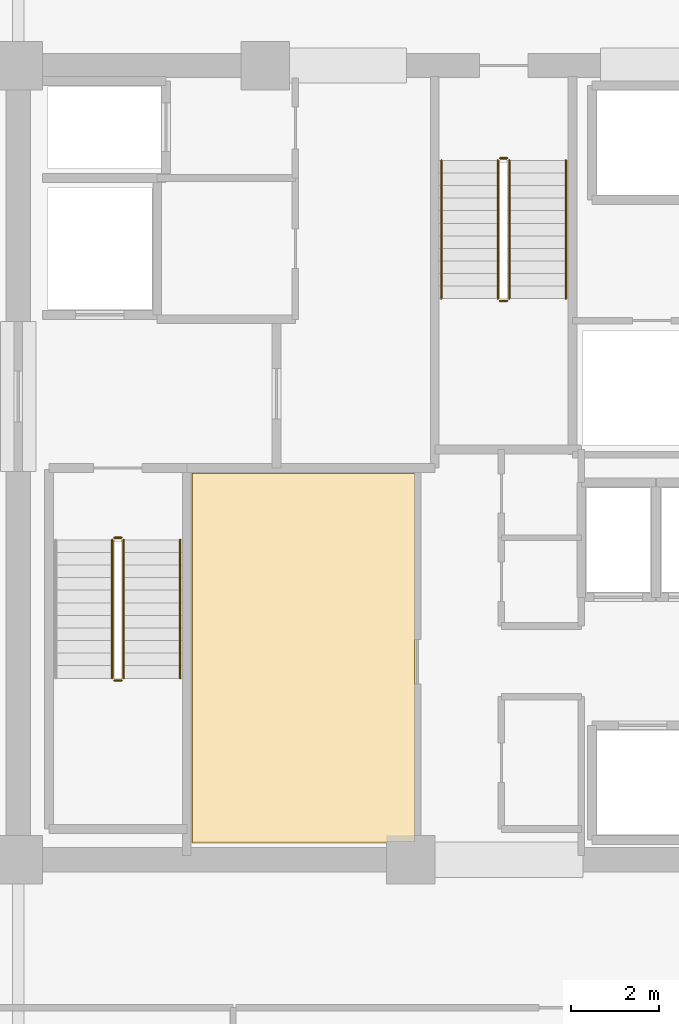
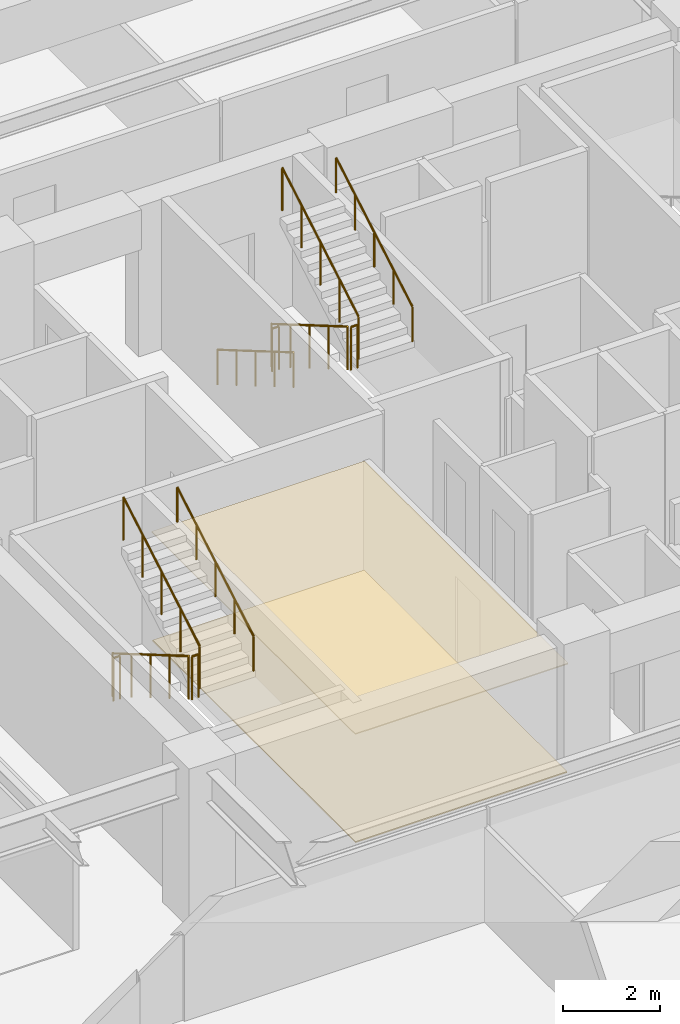
# One storey, part 19 of 21: 11 railings, 2 coverings.
"""IFC4 building model written with IfcOpenShell, lengths in metres."""

from ifc_helpers import new_model, si_unit, direction, frame, origin, origin_2d, place, context, subcontext, project, spatial, polyline, circle, outline, extrude, material, layer, layer_set, type_object, element, save


model = new_model("IFC4")

# Units and contexts
model_context = context("Model", 3, precision=1e-05, world=origin(), true_north=direction((0.0, 1.0)))
body_context = subcontext(model_context, "Body", "Model", "MODEL_VIEW")
ifc_project = project(units=[si_unit("LENGTHUNIT", "METRE"), si_unit("AREAUNIT", "SQUARE_METRE"), si_unit("VOLUMEUNIT", "CUBIC_METRE"), si_unit("PLANEANGLEUNIT", "RADIAN"), si_unit("MASSUNIT", "GRAM", prefix="KILO")], contexts=[model_context])

# Site, building, storey
site_placement = place(None, origin())
site = spatial("IfcSite", under=ifc_project, at=site_placement, CompositionType="ELEMENT")
building_placement = place(site_placement, origin())
building = spatial("IfcBuilding", under=site, at=building_placement, Name="Kovane Verandah Tower", CompositionType="ELEMENT")
storey_placement = place(building_placement, frame((0.0, 0.0, 152.39990234375)))
storey = spatial("IfcBuildingStorey", under=building, at=storey_placement, Name="L35", CompositionType="ELEMENT", Elevation=152.39990234375)

# Coverings
ifc_material_1 = material(Name="Perforated Acoustic Mineral-Fibre Ceiling Tile", Category="gypsum")
ifc_layer_1 = layer(ifc_material_1, 0.02490234375)
ifc_layer_set_1 = layer_set([ifc_layer_1], Name="Perforated Acoustic Mineral-Fibre Ceiling Tile")
covering_type_1 = type_object("IfcCoveringType", Name="CV-CEIL-25", PredefinedType="CEILING", material=ifc_layer_set_1)
covering_1_placement = place(storey_placement, frame((0.0, 0.0, 2.72998046875)))
element("IfcCovering", 1, at=covering_1_placement, inside=storey, type_object=covering_type_1, Name="L35 Tenant Wellness and Archive Suite Acoustic Ceiling", PredefinedType="CEILING", context=body_context, shape_type="SweptSolid", body=[
    extrude(outline(polyline([(32.93505859375, 18.885009765625), (37.9951171875, 18.885009765625), (37.9951171875, 27.264892578125), (32.93505859375, 27.264892578125), (32.93505859375, 18.885009765625)])), origin(), (0.0, 0.0, 1.0), 0.025146484375),
])
ifc_material_2 = material(Name="Polished Terrazzo and Raised-Access Carpet Tile Finish", Category="concrete")
ifc_layer_2 = layer(ifc_material_2, 0.030029296875)
ifc_layer_set_2 = layer_set([ifc_layer_2], Name="Polished Terrazzo and Raised-Access Carpet Tile Finish")
covering_type_2 = type_object("IfcCoveringType", Name="CV-FLOR-30", PredefinedType="FLOORING", material=ifc_layer_set_2)
covering_2_placement = place(storey_placement, origin())
element("IfcCovering", 2, at=covering_2_placement, inside=storey, type_object=covering_type_2, Name="L35 Tenant Wellness and Archive Suite Floor Finish", PredefinedType="FLOORING", context=body_context, shape_type="SweptSolid", body=[
    extrude(outline(polyline([(32.949951171875, 18.89990234375), (37.97998046875, 18.89990234375), (37.97998046875, 27.25), (32.949951171875, 27.25), (32.949951171875, 18.89990234375)])), origin(), (0.0, 0.0, 1.0), 0.030029296875),
])

# Railings
ifc_material_3 = material(Name="Brushed Stainless Steel Handrail", Category="steel")
railing_type_1 = type_object("IfcRailingType", Name="RL-HAND-920", PredefinedType="HANDRAIL", material=ifc_material_3)
railing_1_placement = place(storey_placement, frame((32.669921875, 22.614990234375, 2.166748046875)))
element("IfcRailing", 3, at=railing_1_placement, inside=storey, type_object=railing_type_1, Name="L35 ST-01 stair handrail 2", PredefinedType="HANDRAIL", context=body_context, shape_type="SweptSolid", body=[
    extrude(circle(Radius=0.02392578125, at=origin_2d()), frame((0.0, 0.0, 0.8759765625), z_axis=(0.0, 0.863239559939, 0.504794475164), x_axis=(-1.0, 0.0, 0.0)), (0.0, 0.0, 1.0), 3.631591796875),
    extrude(circle(Radius=0.02099609375, at=origin_2d()), origin(), (0.0, 0.0, 1.0), 0.851806640625),
    extrude(circle(Radius=0.02099609375, at=origin_2d()), frame((0.0, 0.78369140625, 0.458251953125)), (0.0, 0.0, 1.0), 0.851806640625),
    extrude(circle(Radius=0.02099609375, at=origin_2d()), frame((0.0, 1.5673828125, 0.91650390625)), (0.0, 0.0, 1.0), 0.851806640625),
    extrude(circle(Radius=0.02099609375, at=origin_2d()), frame((0.0, 2.351318359375, 1.375)), (0.0, 0.0, 1.0), 0.851806640625),
    extrude(circle(Radius=0.02099609375, at=origin_2d()), frame((0.0, 3.135009765625, 1.833251953125)), (0.0, 0.0, 1.0), 0.851806640625),
])
railing_2_placement = place(storey_placement, frame((38.590087890625, 34.35009765625, 0.166748046875)))
element("IfcRailing", 4, at=railing_2_placement, inside=storey, type_object=railing_type_1, Name="L35 ST-03 stair handrail 1", PredefinedType="HANDRAIL", context=body_context, shape_type="SweptSolid", body=[
    extrude(circle(Radius=0.02392578125, at=origin_2d()), frame((0.0, 0.0, 0.8759765625), z_axis=(0.0, -0.863239559939, 0.504794475164), x_axis=(1.0, 0.0, 0.0)), (0.0, 0.0, 1.0), 3.631591796875),
    extrude(circle(Radius=0.02099609375, at=origin_2d()), origin(), (0.0, 0.0, 1.0), 0.851806640625),
    extrude(circle(Radius=0.02099609375, at=origin_2d()), frame((0.0, -0.78369140625, 0.458251953125)), (0.0, 0.0, 1.0), 0.851806640625),
    extrude(circle(Radius=0.02099609375, at=origin_2d()), frame((0.0, -1.5673828125, 0.91650390625)), (0.0, 0.0, 1.0), 0.851806640625),
    extrude(circle(Radius=0.02099609375, at=origin_2d()), frame((0.0, -2.351318359375, 1.375)), (0.0, 0.0, 1.0), 0.851806640625),
    extrude(circle(Radius=0.02099609375, at=origin_2d()), frame((0.0, -3.135009765625, 1.833251953125)), (0.0, 0.0, 1.0), 0.851806640625),
])
railing_3_placement = place(storey_placement, frame((41.409912109375, 31.215087890625, 2.166748046875)))
element("IfcRailing", 5, at=railing_3_placement, inside=storey, type_object=railing_type_1, Name="L35 ST-03 stair handrail 2", PredefinedType="HANDRAIL", context=body_context, shape_type="SweptSolid", body=[
    extrude(circle(Radius=0.02392578125, at=origin_2d()), frame((0.0, 0.0, 0.8759765625), z_axis=(0.0, 0.863239559939, 0.504794475164), x_axis=(-1.0, 0.0, 0.0)), (0.0, 0.0, 1.0), 3.631591796875),
    extrude(circle(Radius=0.02099609375, at=origin_2d()), origin(), (0.0, 0.0, 1.0), 0.851806640625),
    extrude(circle(Radius=0.02099609375, at=origin_2d()), frame((0.0, 0.78369140625, 0.458251953125)), (0.0, 0.0, 1.0), 0.851806640625),
    extrude(circle(Radius=0.02099609375, at=origin_2d()), frame((0.0, 1.5673828125, 0.91650390625)), (0.0, 0.0, 1.0), 0.851806640625),
    extrude(circle(Radius=0.02099609375, at=origin_2d()), frame((0.0, 2.351318359375, 1.375)), (0.0, 0.0, 1.0), 0.851806640625),
    extrude(circle(Radius=0.02099609375, at=origin_2d()), frame((0.0, 3.135009765625, 1.833251953125)), (0.0, 0.0, 1.0), 0.851806640625),
])
ifc_material_4 = material(Name="Painted Steel Stairwell Guardrail", Category="steel")
railing_type_2 = type_object("IfcRailingType", Name="RL-STGUARD-1120", PredefinedType="GUARDRAIL", material=ifc_material_4)
railing_4_placement = place(storey_placement, frame((31.1298828125, 25.75, 0.166748046875)))
element("IfcRailing", 6, at=railing_4_placement, inside=storey, type_object=railing_type_2, Name="L35 ST-01 stair guard 1", PredefinedType="GUARDRAIL", context=body_context, shape_type="SweptSolid", body=[
    extrude(circle(Radius=0.02392578125, at=origin_2d()), frame((0.0, 0.0, 1.076171875), z_axis=(0.0, -0.863239559939, 0.504794475164), x_axis=(1.0, 0.0, 0.0)), (0.0, 0.0, 1.0), 3.631591796875),
    extrude(circle(Radius=0.02099609375, at=origin_2d()), origin(), (0.0, 0.0, 1.0), 1.052001953125),
    extrude(circle(Radius=0.02099609375, at=origin_2d()), frame((0.0, -0.78369140625, 0.458251953125)), (0.0, 0.0, 1.0), 1.052001953125),
    extrude(circle(Radius=0.02099609375, at=origin_2d()), frame((0.0, -1.5673828125, 0.91650390625)), (0.0, 0.0, 1.0), 1.052001953125),
    extrude(circle(Radius=0.02099609375, at=origin_2d()), frame((0.0, -2.351318359375, 1.375)), (0.0, 0.0, 1.0), 1.052001953125),
    extrude(circle(Radius=0.02099609375, at=origin_2d()), frame((0.0, -3.135009765625, 1.833251953125)), (0.0, 0.0, 1.0), 1.052001953125),
])
railing_5_placement = place(storey_placement, frame((31.179931640625, 22.56494140625, 2.0)))
element("IfcRailing", 7, at=railing_5_placement, inside=storey, type_object=railing_type_2, Name="L35 ST-01 stair guard 2", PredefinedType="GUARDRAIL", context=body_context, shape_type="SweptSolid", body=[
    extrude(circle(Radius=0.02392578125, at=origin_2d()), frame((0.0, 0.0, 1.076171875), z_axis=(1.0, 0.0, 0.0), x_axis=(0.0, 1.0, 0.0)), (0.0, 0.0, 1.0), 0.16015625),
    extrude(circle(Radius=0.02099609375, at=origin_2d()), origin(), (0.0, 0.0, 1.0), 1.052001953125),
    extrude(circle(Radius=0.02099609375, at=origin_2d()), frame((0.16015625, 0.0, 0.0)), (0.0, 0.0, 1.0), 1.052001953125),
])
railing_6_placement = place(storey_placement, frame((31.389892578125, 22.614990234375, 2.166748046875)))
element("IfcRailing", 8, at=railing_6_placement, inside=storey, type_object=railing_type_2, Name="L35 ST-01 stair guard 3", PredefinedType="GUARDRAIL", context=body_context, shape_type="SweptSolid", body=[
    extrude(circle(Radius=0.02392578125, at=origin_2d()), frame((0.0, 0.0, 1.076171875), z_axis=(0.0, 0.863239559939, 0.504794475164), x_axis=(-1.0, 0.0, 0.0)), (0.0, 0.0, 1.0), 3.631591796875),
    extrude(circle(Radius=0.02099609375, at=origin_2d()), origin(), (0.0, 0.0, 1.0), 1.052001953125),
    extrude(circle(Radius=0.02099609375, at=origin_2d()), frame((0.0, 0.78369140625, 0.458251953125)), (0.0, 0.0, 1.0), 1.052001953125),
    extrude(circle(Radius=0.02099609375, at=origin_2d()), frame((0.0, 1.5673828125, 0.91650390625)), (0.0, 0.0, 1.0), 1.052001953125),
    extrude(circle(Radius=0.02099609375, at=origin_2d()), frame((0.0, 2.351318359375, 1.375)), (0.0, 0.0, 1.0), 1.052001953125),
    extrude(circle(Radius=0.02099609375, at=origin_2d()), frame((0.0, 3.135009765625, 1.833251953125)), (0.0, 0.0, 1.0), 1.052001953125),
])
railing_7_placement = place(storey_placement, frame((31.179931640625, 25.800048828125, 0.0)))
element("IfcRailing", 9, at=railing_7_placement, inside=storey, type_object=railing_type_2, Name="L35 ST-01 stair guard 4", PredefinedType="GUARDRAIL", context=body_context, shape_type="SweptSolid", body=[
    extrude(circle(Radius=0.02392578125, at=origin_2d()), frame((0.0, 0.0, 1.076171875), z_axis=(1.0, 0.0, 0.0), x_axis=(0.0, 1.0, 0.0)), (0.0, 0.0, 1.0), 0.16015625),
    extrude(circle(Radius=0.02099609375, at=origin_2d()), origin(), (0.0, 0.0, 1.0), 1.052001953125),
    extrude(circle(Radius=0.02099609375, at=origin_2d()), frame((0.16015625, 0.0, 0.0)), (0.0, 0.0, 1.0), 1.052001953125),
])
railing_8_placement = place(storey_placement, frame((39.8701171875, 34.35009765625, 0.166748046875)))
element("IfcRailing", 10, at=railing_8_placement, inside=storey, type_object=railing_type_2, Name="L35 ST-03 stair guard 1", PredefinedType="GUARDRAIL", context=body_context, shape_type="SweptSolid", body=[
    extrude(circle(Radius=0.02392578125, at=origin_2d()), frame((0.0, 0.0, 1.076171875), z_axis=(0.0, -0.863239559939, 0.504794475164), x_axis=(1.0, 0.0, 0.0)), (0.0, 0.0, 1.0), 3.631591796875),
    extrude(circle(Radius=0.02099609375, at=origin_2d()), origin(), (0.0, 0.0, 1.0), 1.052001953125),
    extrude(circle(Radius=0.02099609375, at=origin_2d()), frame((0.0, -0.78369140625, 0.458251953125)), (0.0, 0.0, 1.0), 1.052001953125),
    extrude(circle(Radius=0.02099609375, at=origin_2d()), frame((0.0, -1.5673828125, 0.91650390625)), (0.0, 0.0, 1.0), 1.052001953125),
    extrude(circle(Radius=0.02099609375, at=origin_2d()), frame((0.0, -2.351318359375, 1.375)), (0.0, 0.0, 1.0), 1.052001953125),
    extrude(circle(Radius=0.02099609375, at=origin_2d()), frame((0.0, -3.135009765625, 1.833251953125)), (0.0, 0.0, 1.0), 1.052001953125),
])
railing_9_placement = place(storey_placement, frame((39.919921875, 31.1650390625, 2.0)))
element("IfcRailing", 11, at=railing_9_placement, inside=storey, type_object=railing_type_2, Name="L35 ST-03 stair guard 2", PredefinedType="GUARDRAIL", context=body_context, shape_type="SweptSolid", body=[
    extrude(circle(Radius=0.02392578125, at=origin_2d()), frame((0.0, 0.0, 1.076171875), z_axis=(1.0, 0.0, 0.0), x_axis=(0.0, 1.0, 0.0)), (0.0, 0.0, 1.0), 0.16015625),
    extrude(circle(Radius=0.02099609375, at=origin_2d()), origin(), (0.0, 0.0, 1.0), 1.052001953125),
    extrude(circle(Radius=0.02099609375, at=origin_2d()), frame((0.16015625, 0.0, 0.0)), (0.0, 0.0, 1.0), 1.052001953125),
])
railing_10_placement = place(storey_placement, frame((40.1298828125, 31.215087890625, 2.166748046875)))
element("IfcRailing", 12, at=railing_10_placement, inside=storey, type_object=railing_type_2, Name="L35 ST-03 stair guard 3", PredefinedType="GUARDRAIL", context=body_context, shape_type="SweptSolid", body=[
    extrude(circle(Radius=0.02392578125, at=origin_2d()), frame((0.0, 0.0, 1.076171875), z_axis=(0.0, 0.863239559939, 0.504794475164), x_axis=(-1.0, 0.0, 0.0)), (0.0, 0.0, 1.0), 3.631591796875),
    extrude(circle(Radius=0.02099609375, at=origin_2d()), origin(), (0.0, 0.0, 1.0), 1.052001953125),
    extrude(circle(Radius=0.02099609375, at=origin_2d()), frame((0.0, 0.78369140625, 0.458251953125)), (0.0, 0.0, 1.0), 1.052001953125),
    extrude(circle(Radius=0.02099609375, at=origin_2d()), frame((0.0, 1.5673828125, 0.91650390625)), (0.0, 0.0, 1.0), 1.052001953125),
    extrude(circle(Radius=0.02099609375, at=origin_2d()), frame((0.0, 2.351318359375, 1.375)), (0.0, 0.0, 1.0), 1.052001953125),
    extrude(circle(Radius=0.02099609375, at=origin_2d()), frame((0.0, 3.135009765625, 1.833251953125)), (0.0, 0.0, 1.0), 1.052001953125),
])
railing_11_placement = place(storey_placement, frame((39.919921875, 34.39990234375, 0.0)))
element("IfcRailing", 13, at=railing_11_placement, inside=storey, type_object=railing_type_2, Name="L35 ST-03 stair guard 4", PredefinedType="GUARDRAIL", context=body_context, shape_type="SweptSolid", body=[
    extrude(circle(Radius=0.02392578125, at=origin_2d()), frame((0.0, 0.0, 1.076171875), z_axis=(1.0, 0.0, 0.0), x_axis=(0.0, 1.0, 0.0)), (0.0, 0.0, 1.0), 0.16015625),
    extrude(circle(Radius=0.02099609375, at=origin_2d()), origin(), (0.0, 0.0, 1.0), 1.052001953125),
    extrude(circle(Radius=0.02099609375, at=origin_2d()), frame((0.16015625, 0.0, 0.0)), (0.0, 0.0, 1.0), 1.052001953125),
])

save(model, "model.ifc")
